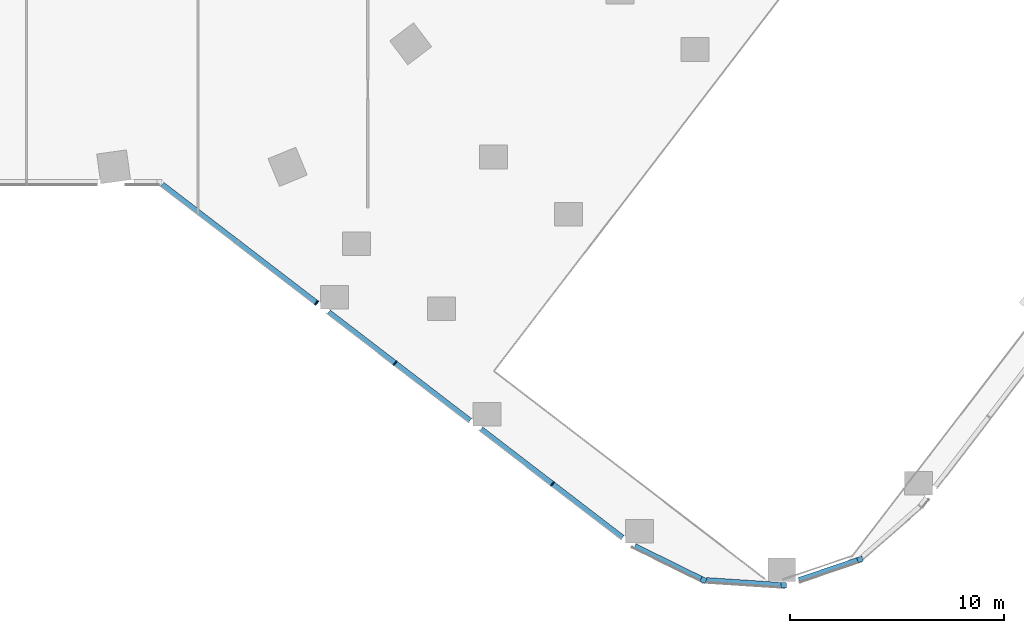
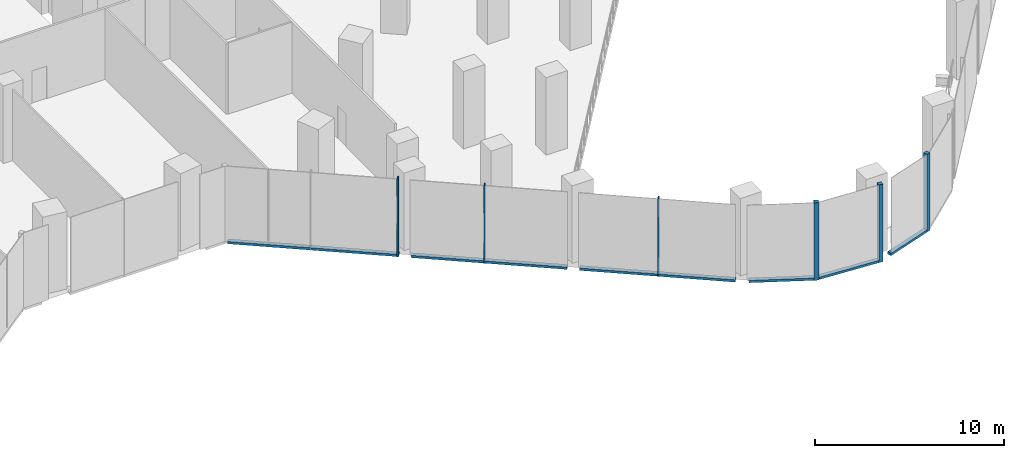
# One storey, part 6 of 29: 12 members, 4 elements without a shape of their own.
"""IFC4 building model written with IfcOpenShell, lengths in metres."""

from ifc_helpers import new_model, si_unit, direction, frame, origin, origin_2d, place, context, subcontext, project, spatial, rectangle, extrude, material, material_profile, profile_set, type_object, element, aggregate, save


model = new_model("IFC4")

# Units and contexts
model_context = context("Model", 3, precision=1e-05, world=origin(), true_north=direction((0.0, 1.0)))
body_context = subcontext(model_context, "Body", "Model", "MODEL_VIEW")
ifc_project = project(units=[si_unit("LENGTHUNIT", "METRE"), si_unit("AREAUNIT", "SQUARE_METRE"), si_unit("VOLUMEUNIT", "CUBIC_METRE"), si_unit("PLANEANGLEUNIT", "RADIAN"), si_unit("MASSUNIT", "GRAM", prefix="KILO")], contexts=[model_context])

# Site, building, storey
site_placement = place(None, origin())
site = spatial("IfcSite", under=ifc_project, at=site_placement, CompositionType="ELEMENT")
building_placement = place(site_placement, origin())
building = spatial("IfcBuilding", under=site, at=building_placement, Name="Orlundy Tower", CompositionType="ELEMENT")
storey_placement = place(building_placement, frame((0.0, 0.0, 15.5)))
storey = spatial("IfcBuildingStorey", under=building, at=storey_placement, Name="L02", CompositionType="ELEMENT", Elevation=15.5)

# Curtain wall, member
ifc_material_1 = material(Name="Aluminium bronze anodised", Category="aluminium")
curtain_wall_type = type_object("IfcCurtainWallType", Name="CW2 wall", PredefinedType="NOTDEFINED", material=ifc_material_1)
curtain_wall_1_placement = place(storey_placement, origin())
curtain_wall_1 = element("IfcCurtainWall", 1, at=curtain_wall_1_placement, inside=storey, type_object=curtain_wall_type, Name="CW2 run 025", PredefinedType="NOTDEFINED")
ifc_material_2 = material(Name="Aluminium bronze anodised", Category="aluminium")
ifc_material_profile_1 = material_profile(ifc_material_2, rectangle(XDim=0.25, YDim=0.25, at=origin_2d()), Name="CW2 corner post 250x250")
ifc_profile_set_1 = profile_set([ifc_material_profile_1], Name="Aluminium bronze anodised")
member_type_1 = type_object("IfcMemberType", Name="CW2 corner post 250x250", PredefinedType="MULLION", material=ifc_profile_set_1)
member_1_placement = place(storey_placement, frame((38.8828125, -47.71435546875, -0.39990234375), z_axis=(0.0, 0.0, 1.0), x_axis=(0.321564171921, -0.946887788144, 0.0)))
member_1 = element("IfcMember", 2, at=member_1_placement, type_object=member_type_1, Name="CW2 mullion 66", PredefinedType="MULLION", context=body_context, shape_type="SweptSolid", body=[
    extrude(rectangle(XDim=0.25, YDim=0.25, at=origin_2d()), origin(), (0.0, 0.0, 1.0), 5.0),
])

curtain_wall_2_placement = place(storey_placement, origin())
curtain_wall_2 = element("IfcCurtainWall", 3, at=curtain_wall_2_placement, inside=storey, type_object=curtain_wall_type, Name="CW2 run 026", PredefinedType="NOTDEFINED")
member_2_placement = place(storey_placement, frame((35.32568359375, -48.92236328125, -0.39990234375), z_axis=(0.0, 0.0, 1.0), x_axis=(-0.065552133657, -0.9978491458, 0.0)))
member_2 = element("IfcMember", 4, at=member_2_placement, type_object=member_type_1, Name="CW2 mullion 67", PredefinedType="MULLION", context=body_context, shape_type="SweptSolid", body=[
    extrude(rectangle(XDim=0.25, YDim=0.25, at=origin_2d()), origin(), (0.0, 0.0, 1.0), 5.0),
])

curtain_wall_3_placement = place(storey_placement, origin())
curtain_wall_3 = element("IfcCurtainWall", 5, at=curtain_wall_3_placement, inside=storey, type_object=curtain_wall_type, Name="CW2 run 027", PredefinedType="NOTDEFINED")
member_3_placement = place(storey_placement, frame((31.576904296875, -48.676025390625, -0.39990234375), z_axis=(0.0, 0.0, 1.0), x_axis=(-0.442241939743, -0.896895794801, 0.0)))
member_3 = element("IfcMember", 6, at=member_3_placement, type_object=member_type_1, Name="CW2 mullion 68", PredefinedType="MULLION", context=body_context, shape_type="SweptSolid", body=[
    extrude(rectangle(XDim=0.25, YDim=0.25, at=origin_2d()), origin(), (0.0, 0.0, 1.0), 5.0),
])

# Curtain wall, members
curtain_wall_4_placement = place(storey_placement, origin())
curtain_wall_4 = element("IfcCurtainWall", 7, at=curtain_wall_4_placement, inside=storey, type_object=curtain_wall_type, Name="CW2 run 00", PredefinedType="NOTDEFINED")
ifc_material_3 = material(Name="Aluminium bronze anodised", Category="aluminium")
ifc_material_profile_2 = material_profile(ifc_material_3, rectangle(XDim=0.25, YDim=0.050048828125, at=origin_2d()), Name="CW2 mullion 50x250")
ifc_profile_set_2 = profile_set([ifc_material_profile_2], Name="Aluminium bronze anodised")
member_type_2 = type_object("IfcMemberType", Name="CW2 mullion 50x250", PredefinedType="MULLION", material=ifc_profile_set_2)
member_4_placement = place(storey_placement, frame((24.5361328125, -44.194091796875, -0.39990234375), z_axis=(0.0, 0.0, 1.0), x_axis=(-0.60875715215, -0.793356622022, 0.0)))
member_4 = element("IfcMember", 8, at=member_4_placement, type_object=member_type_2, Name="CW2 mullion 2", PredefinedType="MULLION", context=body_context, shape_type="SweptSolid", body=[
    extrude(rectangle(XDim=0.25, YDim=0.050048828125, at=origin_2d()), origin(), (0.0, 0.0, 1.0), 5.0),
])
member_5_placement = place(storey_placement, frame((17.1884765625, -38.55615234375, -0.39990234375), z_axis=(0.0, 0.0, 1.0), x_axis=(-0.60875715215, -0.793356622022, 0.0)))
member_5 = element("IfcMember", 9, at=member_5_placement, type_object=member_type_2, Name="CW2 mullion 4", PredefinedType="MULLION", context=body_context, shape_type="SweptSolid", body=[
    extrude(rectangle(XDim=0.25, YDim=0.050048828125, at=origin_2d()), origin(), (0.0, 0.0, 1.0), 5.0),
])
member_6_placement = place(storey_placement, frame((13.5146484375, -35.737060546875, -0.39990234375), z_axis=(0.0, 0.0, 1.0), x_axis=(-0.60875715215, -0.793356622022, 0.0)))
member_6 = element("IfcMember", 10, at=member_6_placement, type_object=member_type_2, Name="CW2 mullion 5", PredefinedType="MULLION", context=body_context, shape_type="SweptSolid", body=[
    extrude(rectangle(XDim=0.25, YDim=0.050048828125, at=origin_2d()), origin(), (0.0, 0.0, 1.0), 5.0),
])
ifc_material_4 = material(Name="Aluminium bronze anodised", Category="aluminium")
ifc_material_profile_3 = material_profile(ifc_material_4, rectangle(XDim=0.25, YDim=0.14990234375, at=origin_2d()), Name="CW2 transom 250x150")
ifc_profile_set_3 = profile_set([ifc_material_profile_3], Name="Aluminium bronze anodised")
member_type_3 = type_object("IfcMemberType", Name="CW2 transom 250x150", PredefinedType="USERDEFINED", material=ifc_profile_set_3)
member_7_placement = place(storey_placement, frame((27.798095703125, -46.697021484375, -0.324951171875), z_axis=(-0.793361797933, 0.608750406636, 0.0), x_axis=(-0.608750406636, -0.793361797933, 0.0)))
member_7 = element("IfcMember", 11, at=member_7_placement, type_object=member_type_3, Name="CW2 transom", ObjectType="TRANSOM", PredefinedType="USERDEFINED", context=body_context, shape_type="SweptSolid", body=[
    extrude(rectangle(XDim=0.25, YDim=0.14990234375, at=origin_2d()), origin(), (0.0, 0.0, 1.0), 8.30908203125),
])
member_8_placement = place(storey_placement, frame((20.68408203125, -41.238525390625, -0.324951171875), z_axis=(-0.793344305907, 0.608773202666, 0.0), x_axis=(-0.608773202666, -0.793344305907, 0.0)))
member_8 = element("IfcMember", 12, at=member_8_placement, type_object=member_type_3, Name="CW2 transom", ObjectType="TRANSOM", PredefinedType="USERDEFINED", context=body_context, shape_type="SweptSolid", body=[
    extrude(rectangle(XDim=0.25, YDim=0.14990234375, at=origin_2d()), origin(), (0.0, 0.0, 1.0), 8.3095703125),
])
member_9_placement = place(storey_placement, frame((13.571044921875, -35.780517578125, -0.324951171875), z_axis=(-0.793352862871, 0.608762051194, 0.0), x_axis=(-0.608762051194, -0.793352862871, 0.0)))
member_9 = element("IfcMember", 13, at=member_9_placement, type_object=member_type_3, Name="CW2 transom", ObjectType="TRANSOM", PredefinedType="USERDEFINED", context=body_context, shape_type="SweptSolid", body=[
    extrude(rectangle(XDim=0.25, YDim=0.14990234375, at=origin_2d()), origin(), (0.0, 0.0, 1.0), 9.132568359375),
])
aggregate(curtain_wall_4, [member_4, member_5, member_6, member_7, member_8, member_9])

# Member
member_10_placement = place(storey_placement, frame((38.764404296875, -47.754638671875, -0.324951171875), z_axis=(-0.946892278069, -0.321550950448, 0.0), x_axis=(0.321550950448, -0.946892278069, 0.0)))
member_10 = element("IfcMember", 14, at=member_10_placement, type_object=member_type_3, Name="CW2 transom", ObjectType="TRANSOM", PredefinedType="USERDEFINED", context=body_context, shape_type="SweptSolid", body=[
    extrude(rectangle(XDim=0.25, YDim=0.14990234375, at=origin_2d()), origin(), (0.0, 0.0, 1.0), 2.88671875),
])

aggregate(curtain_wall_1, [member_1, member_10])

member_11_placement = place(storey_placement, frame((35.200927734375, -48.9140625, -0.324951171875), z_axis=(-0.997852911306, 0.065494789084, 0.0), x_axis=(-0.065494789084, -0.997852911306, 0.0)))
member_11 = element("IfcMember", 15, at=member_11_placement, type_object=member_type_3, Name="CW2 transom", ObjectType="TRANSOM", PredefinedType="USERDEFINED", context=body_context, shape_type="SweptSolid", body=[
    extrude(rectangle(XDim=0.25, YDim=0.14990234375, at=origin_2d()), origin(), (0.0, 0.0, 1.0), 3.49658203125),
])

aggregate(curtain_wall_2, [member_2, member_11])

member_12_placement = place(storey_placement, frame((31.46484375, -48.620849609375, -0.324951171875), z_axis=(-0.896879340897, 0.44227530778, 0.0), x_axis=(-0.44227530778, -0.896879340897, 0.0)))
member_12 = element("IfcMember", 16, at=member_12_placement, type_object=member_type_3, Name="CW2 transom", ObjectType="TRANSOM", PredefinedType="USERDEFINED", context=body_context, shape_type="SweptSolid", body=[
    extrude(rectangle(XDim=0.25, YDim=0.14990234375, at=origin_2d()), origin(), (0.0, 0.0, 1.0), 3.445556640625),
])

aggregate(curtain_wall_3, [member_3, member_12])

save(model, "model.ifc")
